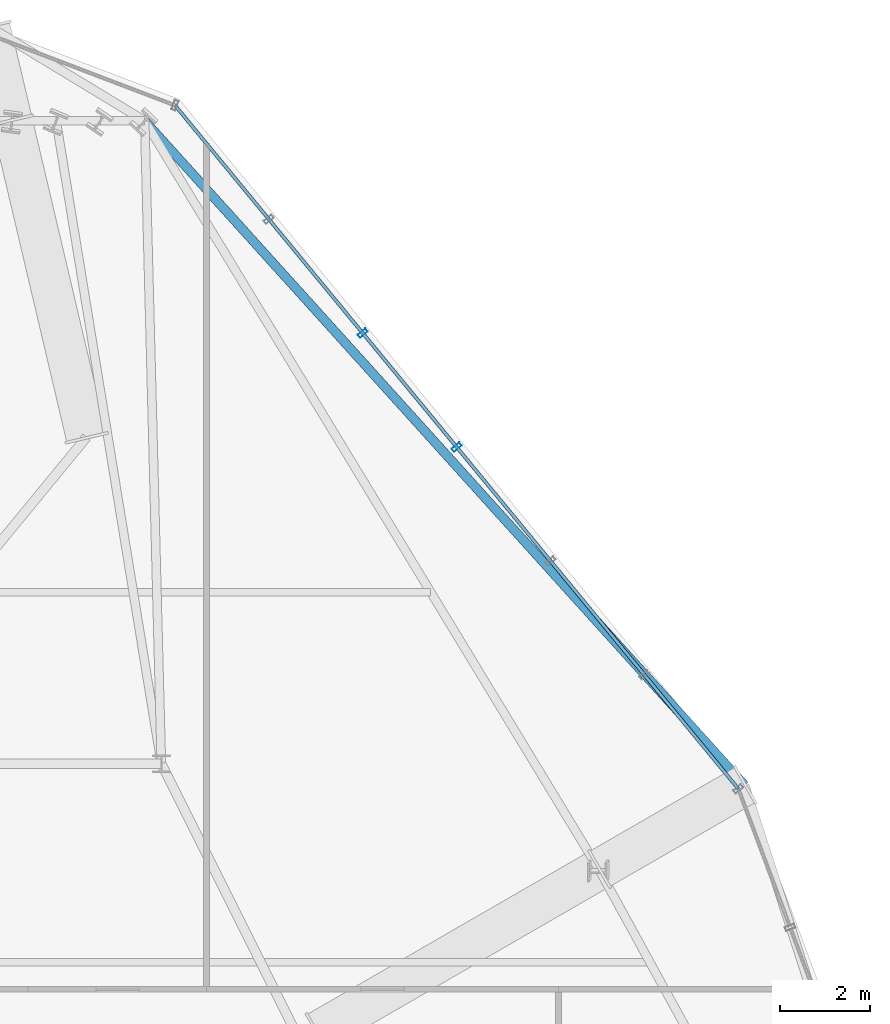
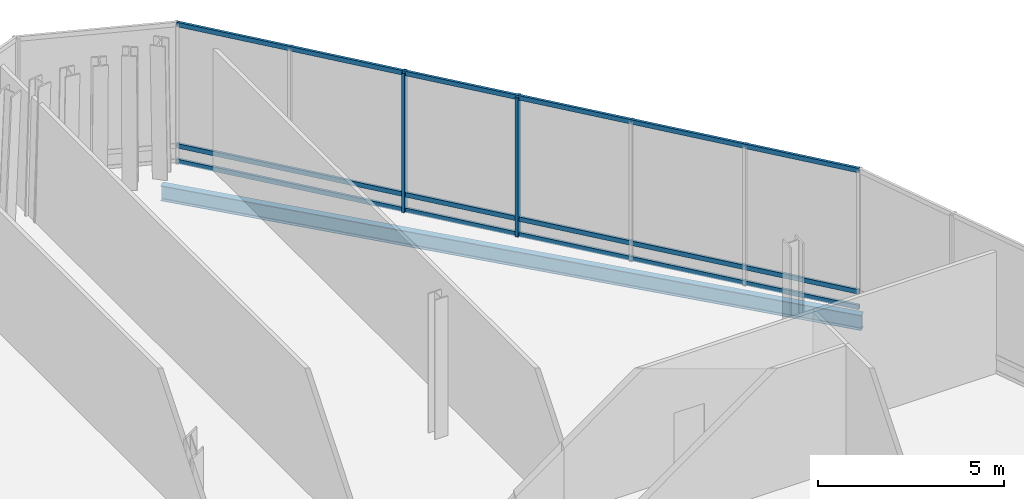
# One storey, part 20 of 28: 5 members, 1 beam, 1 element without a shape of its own.
"""IFC4 building model written with IfcOpenShell, lengths in metres."""

from ifc_helpers import new_model, si_unit, direction, frame, origin, origin_2d, place, context, subcontext, project, spatial, hollow_rectangle, i_section, extrude, material, layer, layer_set, material_profile, profile_set, type_object, element, aggregate, save


model = new_model("IFC4")

# Units and contexts
model_context = context("Model", 3, precision=1e-05, world=origin(), true_north=direction((0.0, 1.0)))
body_context = subcontext(model_context, "Body", "Model", "MODEL_VIEW")
ifc_project = project(units=[si_unit("LENGTHUNIT", "METRE"), si_unit("AREAUNIT", "SQUARE_METRE"), si_unit("VOLUMEUNIT", "CUBIC_METRE"), si_unit("PLANEANGLEUNIT", "RADIAN"), si_unit("MASSUNIT", "GRAM", prefix="KILO")], contexts=[model_context])

# Site, building, storey
site_placement = place(None, origin())
site = spatial("IfcSite", under=ifc_project, at=site_placement, CompositionType="ELEMENT")
building_placement = place(site_placement, origin())
building = spatial("IfcBuilding", under=site, at=building_placement, Name="Ndaravel Arena Tower", CompositionType="ELEMENT")
storey_placement = place(building_placement, frame((0.0, 0.0, 213.199951171875)))
storey = spatial("IfcBuildingStorey", under=building, at=storey_placement, Name="L51", CompositionType="ELEMENT", Elevation=213.199951171875)

# Beam
ifc_material_1 = material(Name="Steel S355", Category="steel")
ifc_material_profile_1 = material_profile(ifc_material_1, i_section(OverallWidth=0.199951171875, OverallDepth=0.5, WebThickness=0.01025390625, FlangeThickness=0.01611328125, FilletRadius=0.02099609375, at=origin_2d()), Name="IPE 500")
ifc_profile_set_1 = profile_set([ifc_material_profile_1], Name="Steel S355")
beam_type = type_object("IfcBeamType", Name="BM-SPAN-IPE500", PredefinedType="SPANDREL", material=ifc_profile_set_1)
beam_placement = place(storey_placement, frame((58.727783203125, 30.7236328125, -0.530029296875), z_axis=(-0.670281447872, 0.742106987327, 0.0), x_axis=(-0.742106987327, -0.670281447872, 0.0)))
element("IfcBeam", 1, at=beam_placement, inside=storey, type_object=beam_type, Name="L51 Star Facet Edge Beam SEB-4", PredefinedType="SPANDREL", context=body_context, shape_type="SweptSolid", body=[
    extrude(i_section(OverallWidth=0.199951171875, OverallDepth=0.5, WebThickness=0.01025390625, FlangeThickness=0.01611328125, FilletRadius=0.02099609375, at=origin_2d()), origin(), (0.0, 0.0, 1.0), 19.8369140625),
])

# Curtain wall, members
ifc_material_2 = material(Name="Aluminium", Category="aluminium")
ifc_layer = layer(ifc_material_2, 0.179931640625)
ifc_layer_set = layer_set([ifc_layer], Name="Aluminium")
curtain_wall_type = type_object("IfcCurtainWallType", Name="CW-SYS-04", PredefinedType="NOTDEFINED", material=ifc_layer_set)
curtain_wall_placement = place(storey_placement, origin())
curtain_wall = element("IfcCurtainWall", 2, at=curtain_wall_placement, inside=storey, type_object=curtain_wall_type, Name="L51 Faceted Crystal Curtain Wall CW-L51-E07", PredefinedType="NOTDEFINED")
ifc_material_3 = material(Name="Aluminium", Category="aluminium")
ifc_material_profile_2 = material_profile(ifc_material_3, hollow_rectangle(XDim=0.090087890625, YDim=0.219970703125, WallThickness=0.0048828125, at=origin_2d()), Name="CW MULLION 90x220x5")
ifc_profile_set_2 = profile_set([ifc_material_profile_2], Name="Aluminium")
member_type_1 = type_object("IfcMemberType", Name="MEM-CW-MUL220", PredefinedType="MULLION", material=ifc_profile_set_2)
member_1_placement = place(storey_placement, frame((52.344970703125, 38.216552734375, 0.0), z_axis=(0.0, 0.0, 1.0), x_axis=(-0.636024349169, 0.771668988144, 0.0)))
member_1 = element("IfcMember", 3, at=member_1_placement, type_object=member_type_1, Name="CW-L51-E07 Mullion 03", PredefinedType="MULLION", context=body_context, shape_type="SweptSolid", body=[
    extrude(hollow_rectangle(XDim=0.090087890625, YDim=0.219970703125, WallThickness=0.0048828125, at=origin_2d()), origin(), (0.0, 0.0, 1.0), 4.580078125),
])
member_2_placement = place(storey_placement, frame((50.263916015625, 40.7412109375, 0.0), z_axis=(0.0, 0.0, 1.0), x_axis=(-0.636024349169, 0.771668988144, 0.0)))
member_2 = element("IfcMember", 4, at=member_2_placement, type_object=member_type_1, Name="CW-L51-E07 Mullion 04", PredefinedType="MULLION", context=body_context, shape_type="SweptSolid", body=[
    extrude(hollow_rectangle(XDim=0.090087890625, YDim=0.219970703125, WallThickness=0.0048828125, at=origin_2d()), origin(), (0.0, 0.0, 1.0), 4.580078125),
])
ifc_material_4 = material(Name="Aluminium", Category="aluminium")
ifc_material_profile_3 = material_profile(ifc_material_4, hollow_rectangle(XDim=0.074951171875, YDim=0.14990234375, WallThickness=0.00390625, at=origin_2d()), Name="CW TRANSOM 75x150x4")
ifc_profile_set_3 = profile_set([ifc_material_profile_3], Name="Aluminium")
member_type_2 = type_object("IfcMemberType", Name="MEM-CW-TRN150", PredefinedType="USERDEFINED", material=ifc_profile_set_3)
member_3_placement = place(storey_placement, frame((58.58740234375, 30.642578125, 0.0400390625), z_axis=(-0.636026745069, 0.771667013391, 0.0), x_axis=(-0.771667013391, -0.636026745069, 0.0)))
member_3 = element("IfcMember", 5, at=member_3_placement, type_object=member_type_2, Name="CW-L51-E07 Transom 01", ObjectType="TRANSOM", PredefinedType="USERDEFINED", context=body_context, shape_type="SweptSolid", body=[
    extrude(hollow_rectangle(XDim=0.074951171875, YDim=0.14990234375, WallThickness=0.00390625, at=origin_2d()), origin(), (0.0, 0.0, 1.0), 19.6298828125),
])
member_4_placement = place(storey_placement, frame((58.58740234375, 30.642578125, 0.550048828125), z_axis=(-0.636026745069, 0.771667013391, 0.0), x_axis=(-0.771667013391, -0.636026745069, 0.0)))
member_4 = element("IfcMember", 6, at=member_4_placement, type_object=member_type_2, Name="CW-L51-E07 Transom 02", ObjectType="TRANSOM", PredefinedType="USERDEFINED", context=body_context, shape_type="SweptSolid", body=[
    extrude(hollow_rectangle(XDim=0.074951171875, YDim=0.14990234375, WallThickness=0.00390625, at=origin_2d()), origin(), (0.0, 0.0, 1.0), 19.6298828125),
])
member_5_placement = place(storey_placement, frame((58.58740234375, 30.642578125, 4.5400390625), z_axis=(-0.636026745069, 0.771667013391, 0.0), x_axis=(-0.771667013391, -0.636026745069, 0.0)))
member_5 = element("IfcMember", 7, at=member_5_placement, type_object=member_type_2, Name="CW-L51-E07 Transom 03", ObjectType="TRANSOM", PredefinedType="USERDEFINED", context=body_context, shape_type="SweptSolid", body=[
    extrude(hollow_rectangle(XDim=0.074951171875, YDim=0.14990234375, WallThickness=0.00390625, at=origin_2d()), origin(), (0.0, 0.0, 1.0), 19.6298828125),
])
aggregate(curtain_wall, [member_1, member_2, member_3, member_4, member_5])

save(model, "model.ifc")
